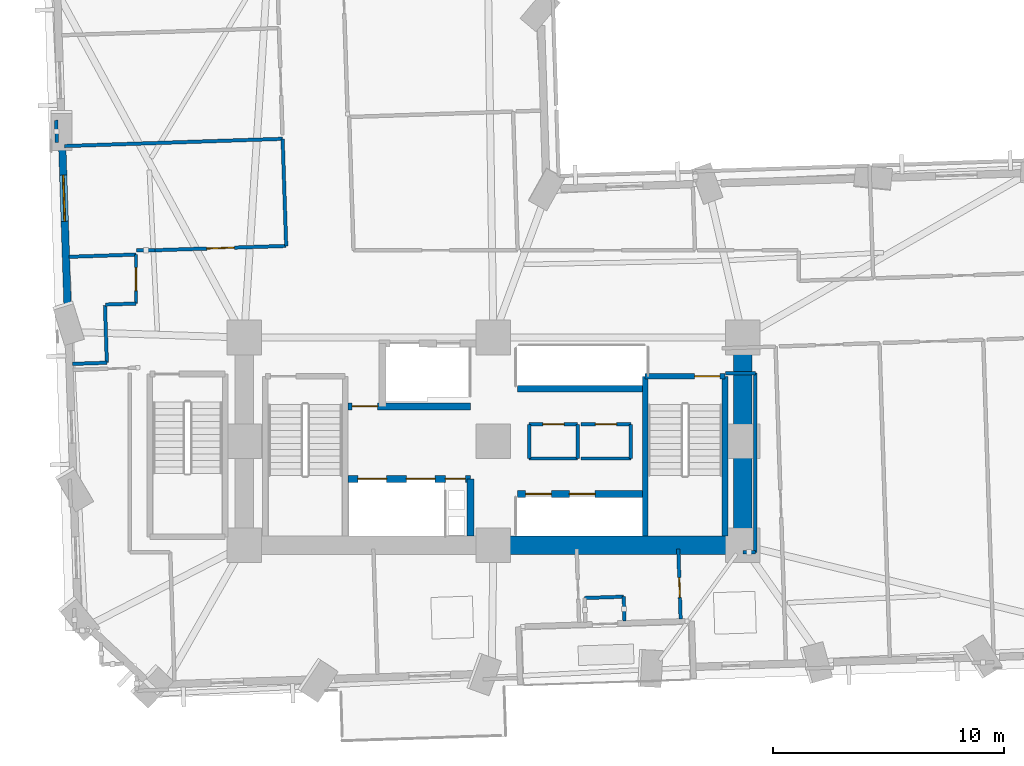
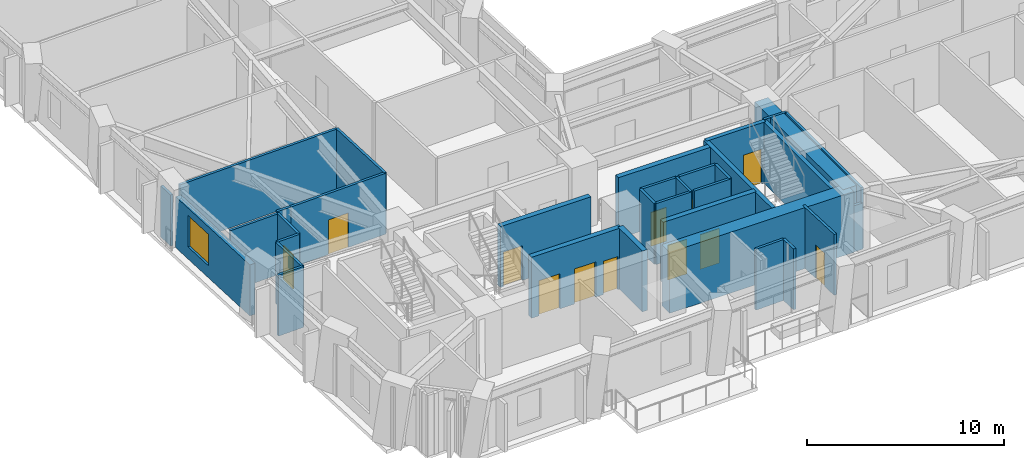
# One storey, part 6 of 14: 34 walls, 12 doors, 1 window, 13 openings.
"""IFC4 building model written with IfcOpenShell, lengths in metres."""

import ifcopenshell
import ifcopenshell.guid

model = None  # the IFC model being written
_history = None  # IfcOwnerHistory: only IFC2X3 demands one
_inside = {}  # id of a spatial element -> (the spatial element, [elements in it])
_under = {}  # id of a project, library or spatial element -> (it, [spatial elements below it])
_declared = {}  # id of a project -> (the project, [libraries it declares])
_typed = {}  # id of a type object -> (the type object, [elements of that type])
_made_of = {}  # id of a material, layer set ... -> (it, [elements and type objects made of it])


def new_model(schema):
    """Start an empty IFC model of exactly this schema.

    Asked for "IFC4X3", IfcOpenShell would pick the latest addendum, in which some entities
    have other attributes; the version numbers below select the first issue.
    IFC2X3 requires an IfcOwnerHistory on every rooted entity: one is made here for all.
    """
    global model, _history
    if schema == "IFC4X3":
        model = ifcopenshell.file(schema_version=(4, 3, 0, 0))
    else:
        model = ifcopenshell.file(schema=schema)
    _inside.clear()
    _under.clear()
    _declared.clear()
    _typed.clear()
    _made_of.clear()
    _history = None
    if model.schema == "IFC2X3":
        org = make("IfcOrganization", Name="unknown")
        user = make(
            "IfcPersonAndOrganization",
            ThePerson=make("IfcPerson", FamilyName="unknown"),
            TheOrganization=org,
        )
        app = make(
            "IfcApplication",
            ApplicationDeveloper=org,
            Version="unknown",
            ApplicationFullName="unknown",
            ApplicationIdentifier="unknown",
        )
        _history = make(
            "IfcOwnerHistory",
            OwningUser=user,
            OwningApplication=app,
            ChangeAction="ADDED",
            CreationDate=0,
        )
    return model


def make(cls, **values):
    """One entity of the class cls with the attributes given. An attribute that is None is left unset."""
    return model.create_entity(
        cls, **{name: value for name, value in values.items() if value is not None}
    )


def rooted(cls, **values):
    """An entity with a GlobalId (a new one), such as an element, a storey or a relation."""
    return make(cls, GlobalId=ifcopenshell.guid.new(), OwnerHistory=_history, **values)


def si_unit(unit_type, name, prefix=None):
    """IfcSIUnit, for example si_unit("LENGTHUNIT", "METRE", prefix="MILLI")."""
    return make("IfcSIUnit", UnitType=unit_type, Prefix=prefix, Name=name)


def assignment(units):
    """IfcUnitAssignment: the units of a project."""
    return None if units is None else make("IfcUnitAssignment", Units=units)


def point(xyz):
    """IfcCartesianPoint."""
    return None if xyz is None else make("IfcCartesianPoint", Coordinates=xyz)


def direction(xyz):
    """IfcDirection."""
    return None if xyz is None else make("IfcDirection", DirectionRatios=xyz)


def frame(location, z_axis=None, x_axis=None):
    """IfcAxis2Placement3D, a coordinate frame: its origin and axes. An axis left out is left unset."""
    return make(
        "IfcAxis2Placement3D",
        Location=point(location),
        Axis=direction(z_axis),
        RefDirection=direction(x_axis),
    )


def frame_2d(location, x_axis=None):
    """IfcAxis2Placement2D, a coordinate frame in the plane: its origin and x axis."""
    return make(
        "IfcAxis2Placement2D", Location=point(location), RefDirection=direction(x_axis)
    )


def origin():
    """The frame at (0, 0, 0) with its axes left unset."""
    return frame((0.0, 0.0, 0.0))


def place(relative_to, where):
    """IfcLocalPlacement: puts the frame where relative to a parent placement (None: the world)."""
    return make(
        "IfcLocalPlacement", PlacementRelTo=relative_to, RelativePlacement=where
    )


def context(
    kind, dimensions, precision=None, world=None, true_north=None, identifier=None
):
    """IfcGeometricRepresentationContext, for example the 3D "Model" context."""
    return make(
        "IfcGeometricRepresentationContext",
        ContextIdentifier=identifier,
        ContextType=kind,
        CoordinateSpaceDimension=dimensions,
        Precision=precision,
        WorldCoordinateSystem=world,
        TrueNorth=true_north,
    )


def subcontext(parent, identifier, kind, view, scale=None):
    """IfcGeometricRepresentationSubContext, for example "Body" below "Model"."""
    return make(
        "IfcGeometricRepresentationSubContext",
        ContextIdentifier=identifier,
        ContextType=kind,
        ParentContext=parent,
        TargetScale=scale,
        TargetView=view,
    )


def project(units=None, contexts=None):
    """IfcProject with its units and contexts."""
    return rooted(
        "IfcProject",
        Name="project",
        RepresentationContexts=contexts,
        UnitsInContext=assignment(units),
    )


def spatial(cls, under=None, at=None, **own):
    """A site, building, storey or space (cls), placed at a placement, below another one or the project."""
    s = rooted(cls, ObjectPlacement=at, **own)
    if under is not None:
        _under.setdefault(under.id(), (under, []))[1].append(s)
    return s


def profile(cls, at=None, kind="AREA", **sizes):
    """A parametric profile (cls). Its sizes go by their IFC names, for example OverallWidth=200.0."""
    return make(cls, ProfileType=kind, Position=at, **sizes)


def rectangle(**sizes):
    """IfcRectangleProfileDef."""
    return profile("IfcRectangleProfileDef", **sizes)


def extrude(swept, where, along, depth):
    """IfcExtrudedAreaSolid: the profile swept, set in the frame where, extruded along a direction by depth."""
    return make(
        "IfcExtrudedAreaSolid",
        SweptArea=swept,
        Position=where,
        ExtrudedDirection=direction(along),
        Depth=depth,
    )


def shape(context_of_items, identifier, shape_type, items):
    """IfcShapeRepresentation: the items that make up one representation, for example the "Body"."""
    return make(
        "IfcShapeRepresentation",
        ContextOfItems=context_of_items,
        RepresentationIdentifier=identifier,
        RepresentationType=shape_type,
        Items=items,
    )


def material(Name=None, Category=None):
    """IfcMaterial."""
    return make("IfcMaterial", Name=Name, Category=Category)


def layer(
    of_material, thickness, ventilated=None, Name=None, Category=None, Priority=None
):
    """IfcMaterialLayer: one layer of a wall or slab, of a material (None: an air gap)."""
    return make(
        "IfcMaterialLayer",
        Material=of_material,
        LayerThickness=thickness,
        IsVentilated=ventilated,
        Name=Name,
        Category=Category,
        Priority=Priority,
    )


def layer_set(layers, Name=None):
    """IfcMaterialLayerSet."""
    return make("IfcMaterialLayerSet", MaterialLayers=layers, LayerSetName=Name)


def made_of(thing, what):
    """Note that an element or type object is made of a material, layer set ...; save() writes the relation."""
    if what is not None:
        _made_of.setdefault(what.id(), (what, []))[1].append(thing)
    return thing


def type_object(cls, material=None, **own):
    """A type object (cls), such as IfcWallType, which elements share."""
    return made_of(rooted(cls, **own), material)


def element(
    cls,
    number,
    at=None,
    inside=None,
    cuts=None,
    type_object=None,
    material=None,
    context=None,
    identifier="Body",
    shape_type=None,
    held_by="IfcProductDefinitionShape",
    body=None,
    shapes=None,
    **own,
):
    """One element of the class cls, such as IfcWall. Its Tag is "e" and its number.

    at: its placement. inside: the storey or other place that contains it. cuts: it is an
    opening in that element (IfcRelVoidsElement). A single representation is given by context,
    identifier, shape_type and body (its items); several are given by shapes. held_by: the class
    of the entity that holds the representations. save() writes the other relations.
    """
    e = rooted(cls, Tag="e%d" % number, ObjectPlacement=at, **own)
    if body is not None:
        shapes = [shape(context, identifier, shape_type, body)]
    if shapes is not None:
        e.Representation = make(held_by, Representations=shapes)
    if inside is not None:
        _inside.setdefault(inside.id(), (inside, []))[1].append(e)
    if cuts is not None:
        rooted(
            "IfcRelVoidsElement", RelatingBuildingElement=cuts, RelatedOpeningElement=e
        )
    if type_object is not None:
        _typed.setdefault(type_object.id(), (type_object, []))[1].append(e)
    return made_of(e, material)


def fill(opening, filler):
    """IfcRelFillsElement: the door or window that sits in an opening."""
    return rooted(
        "IfcRelFillsElement",
        RelatingOpeningElement=opening,
        RelatedBuildingElement=filler,
    )


def aggregate(whole, parts):
    """IfcRelAggregates: a whole, such as a stair, and the parts it consists of."""
    return rooted("IfcRelAggregates", RelatingObject=whole, RelatedObjects=parts)


def save(model, path):
    """Write the relations noted so far, then the file.

    IfcRelAggregates (storeys below a building ...), IfcRelContainedInSpatialStructure (elements
    in a storey), IfcRelDefinesByType, IfcRelAssociatesMaterial and IfcRelDeclares: one each for
    every whole, place, type object, material and project.
    """
    for whole, parts in _under.values():
        aggregate(whole, parts)
    for where, things in _inside.values():
        rooted(
            "IfcRelContainedInSpatialStructure",
            RelatedElements=things,
            RelatingStructure=where,
        )
    for kind, things in _typed.values():
        rooted("IfcRelDefinesByType", RelatedObjects=things, RelatingType=kind)
    for what, things in _made_of.values():
        rooted("IfcRelAssociatesMaterial", RelatedObjects=things, RelatingMaterial=what)
    for by, libraries in _declared.values():
        rooted("IfcRelDeclares", RelatingContext=by, RelatedDefinitions=libraries)
    model.write(path)


model = new_model("IFC4")

# Units and contexts
model_context = context("Model", 3, precision=1e-05, world=origin(), true_north=direction((0.0, 1.0)))
body_context = subcontext(model_context, "Body", "Model", "MODEL_VIEW")
ifc_project = project(units=[si_unit("LENGTHUNIT", "METRE"), si_unit("AREAUNIT", "SQUARE_METRE"), si_unit("VOLUMEUNIT", "CUBIC_METRE"), si_unit("PLANEANGLEUNIT", "RADIAN"), si_unit("MASSUNIT", "GRAM", prefix="KILO")], contexts=[model_context])

# Site, building, storey
site_placement = place(None, origin())
site = spatial("IfcSite", under=ifc_project, at=site_placement, CompositionType="ELEMENT")
building_placement = place(site_placement, origin())
building = spatial("IfcBuilding", under=site, at=building_placement, Name="Gaonmaruhae Medical Tower", CompositionType="ELEMENT")
storey_placement = place(building_placement, frame((0.0, 0.0, 31.0)))
storey = spatial("IfcBuildingStorey", under=building, at=storey_placement, Name="L06", CompositionType="ELEMENT", Elevation=31.0)

# Walls
ifc_material_1 = material(Name="Concrete C60/75", Category="concrete")
ifc_layer_1 = layer(ifc_material_1, 0.800048828125)
ifc_layer_set_1 = layer_set([ifc_layer_1], Name="Concrete C60/75")
wall_type_1 = type_object("IfcWallType", Name="CW-800 Lower Core Shear Wall", PredefinedType="SHEAR", material=ifc_layer_set_1)
wall_1_placement = place(storey_placement, frame((24.800048828125, 7.800048828125, 0.0), z_axis=(0.0, 0.0, 1.0), x_axis=(1.0, 0.0, 0.0)))
element("IfcWall", 1, at=wall_1_placement, inside=storey, type_object=wall_type_1, Name="L06 Core Shear Wall CSW-S2", PredefinedType="SHEAR", context=body_context, shape_type="SweptSolid", body=[
    extrude(rectangle(XDim=10.800048828125, YDim=0.800048828125, at=frame_2d((5.39990234375, 0.0))), origin(), (0.0, 0.0, 1.0), 3.780029296875),
])
wall_2_placement = place(storey_placement, frame((35.60009765625, 7.800048828125, 0.0), z_axis=(0.0, 0.0, 1.0), x_axis=(0.0, 1.0, 0.0)))
element("IfcWall", 2, at=wall_2_placement, inside=storey, type_object=wall_type_1, Name="L06 Core Shear Wall CSW-E1", PredefinedType="SHEAR", context=body_context, shape_type="SweptSolid", body=[
    extrude(rectangle(XDim=9.0, YDim=0.800048828125, at=frame_2d((4.5, 0.0))), origin(), (0.0, 0.0, 1.0), 3.780029296875),
])

# Wall, opening, window
ifc_material_2 = material(Name="Precast concrete C45/55", Category="concrete")
ifc_layer_2 = layer(ifc_material_2, 0.320068359375)
ifc_layer_set_2 = layer_set([ifc_layer_2], Name="Precast concrete C45/55")
wall_type_2 = type_object("IfcWallType", Name="EW-320 Lower Precast Masonry-Frame Facade Wall", PredefinedType="SOLIDWALL", material=ifc_layer_set_2)
wall_3_placement = place(storey_placement, frame((6.36474609375, 17.87158203125, 0.0), z_axis=(0.0, 0.0, 1.0), x_axis=(-0.033150797565, 0.999450361259, 0.0)))
wall_3 = element("IfcWall", 3, at=wall_3_placement, inside=storey, type_object=wall_type_2, Name="L06 Precast Masonry-Frame Wall W04-W05", PredefinedType="SOLIDWALL", context=body_context, shape_type="SweptSolid", body=[
    extrude(rectangle(XDim=7.13623046875, YDim=0.320068359375, at=frame_2d((3.568115234375, 0.0))), origin(), (0.0, 0.0, 1.0), 3.1650390625),
])
opening_1_placement = place(wall_3_placement, frame((3.964111328125, 0.0, 0.75)))
opening_1 = element("IfcOpeningElement", 4, at=opening_1_placement, cuts=wall_3, Name="Opening WN-02", PredefinedType="OPENING", context=body_context, shape_type="SweptSolid", body=[
    extrude(rectangle(XDim=2.0, YDim=1.949951171875, at=frame_2d((1.0, 0.97509765625))), frame((0.0, 0.169921875, 0.0), z_axis=(0.0, -1.0, 0.0), x_axis=(1.0, 0.0, 0.0)), (0.0, 0.0, 1.0), 0.340087890625),
])
ifc_material_3 = material(Name="Anodised aluminium and Low-E double glazing", Category="aluminium")
window_type = type_object("IfcWindowType", Name="WN-02 Double-Bed Ward Punched Window 2000x1950", PartitioningType="SINGLE_PANEL", PredefinedType="WINDOW", material=ifc_material_3)
window_placement = place(opening_1_placement, origin())
window = element("IfcWindow", 5, at=window_placement, inside=storey, type_object=window_type, Name="L06 Modular Facade Window W04", OverallHeight=1.949951171875, OverallWidth=2.0, PartitioningType="SINGLE_PANEL", PredefinedType="WINDOW", context=body_context, shape_type="SweptSolid", body=[
    extrude(rectangle(XDim=2.0, YDim=1.949951171875, at=frame_2d((1.0, 0.97509765625))), frame((0.0, 0.030029296875, 0.0), z_axis=(0.0, -1.0, 0.0), x_axis=(1.0, 0.0, 0.0)), (0.0, 0.0, 1.0), 0.06005859375),
])
fill(opening_1, window)

# Wall
ifc_material_4 = material(Name="Gypsum board partition", Category="gypsum")
ifc_layer_3 = layer(ifc_material_4, 0.14990234375)
ifc_layer_set_3 = layer_set([ifc_layer_3], Name="Gypsum board partition")
wall_type_3 = type_object("IfcWallType", Name="PW-150 Rated Clinical Corridor Partition", PredefinedType="PARTITIONING", material=ifc_layer_set_3)
wall_4_placement = place(storey_placement, frame((26.35009765625, 11.56005859375, 0.0), z_axis=(0.0, 0.0, 1.0), x_axis=(0.0, 1.0, 0.0)))
element("IfcWall", 6, at=wall_4_placement, inside=storey, type_object=wall_type_3, Name="L06 Interior Partition L06-CS1-1", PredefinedType="PARTITIONING", context=body_context, shape_type="SweptSolid", body=[
    extrude(rectangle(XDim=1.47998046875, YDim=0.14990234375, at=frame_2d((0.739990234375, 0.0))), origin(), (0.0, 0.0, 1.0), 3.780029296875),
])

# Wall, opening, door
wall_5_placement = place(storey_placement, frame((26.35009765625, 13.0400390625, 0.0), z_axis=(0.0, 0.0, 1.0), x_axis=(1.0, 0.0, 0.0)))
wall_5 = element("IfcWall", 7, at=wall_5_placement, inside=storey, type_object=wall_type_3, Name="L06 Interior Partition L06-CS1-2", PredefinedType="PARTITIONING", context=body_context, shape_type="SweptSolid", body=[
    extrude(rectangle(XDim=2.099853515625, YDim=0.14990234375, at=frame_2d((1.0498046875, 0.0))), origin(), (0.0, 0.0, 1.0), 3.780029296875),
])
opening_2_placement = place(wall_5_placement, frame((0.590087890625, 0.0, 0.0)))
opening_2 = element("IfcOpeningElement", 8, at=opening_2_placement, cuts=wall_5, Name="Opening UD-01", PredefinedType="OPENING", context=body_context, shape_type="SweptSolid", body=[
    extrude(rectangle(XDim=0.919921875, YDim=2.10009765625, at=frame_2d((0.4599609375, 1.050048828125))), frame((0.0, 0.0849609375, 0.0), z_axis=(0.0, -1.0, 0.0), x_axis=(1.0, 0.0, 0.0)), (0.0, 0.0, 1.0), 0.169921875),
])
ifc_material_5 = material(Name="Powder-coated steel utility door", Category="steel")
door_type_1 = type_object("IfcDoorType", Name="UD-01 Toilet, Utility & Housekeeping Door 920x2100", OperationType="NOTDEFINED", PredefinedType="DOOR", material=ifc_material_5)
door_1_placement = place(opening_2_placement, origin())
door_1 = element("IfcDoor", 9, at=door_1_placement, inside=storey, type_object=door_type_1, Name="L06 Accessible Staff Toilet Door", OperationType="SINGLE_SWING_RIGHT", OverallHeight=2.10009765625, OverallWidth=0.919921875, PredefinedType="DOOR", context=body_context, shape_type="SweptSolid", body=[
    extrude(rectangle(XDim=0.919921875, YDim=2.10009765625, at=frame_2d((0.4599609375, 1.050048828125))), frame((0.0, 0.02490234375, 0.0), z_axis=(0.0, -1.0, 0.0), x_axis=(1.0, 0.0, 0.0)), (0.0, 0.0, 1.0), 0.050048828125),
])
fill(opening_2, door_1)

# Walls
wall_6_placement = place(storey_placement, frame((28.449951171875, 13.0400390625, 0.0), z_axis=(0.0, 0.0, 1.0), x_axis=(0.0, -1.0, 0.0)))
element("IfcWall", 10, at=wall_6_placement, inside=storey, type_object=wall_type_3, Name="L06 Interior Partition L06-CS1-3", PredefinedType="PARTITIONING", context=body_context, shape_type="SweptSolid", body=[
    extrude(rectangle(XDim=1.47998046875, YDim=0.14990234375, at=frame_2d((0.739990234375, 0.0))), origin(), (0.0, 0.0, 1.0), 3.780029296875),
])
wall_7_placement = place(storey_placement, frame((28.449951171875, 11.56005859375, 0.0), z_axis=(0.0, 0.0, 1.0), x_axis=(-1.0, 0.0, 0.0)))
element("IfcWall", 11, at=wall_7_placement, inside=storey, type_object=wall_type_3, Name="L06 Interior Partition L06-CS1-4", PredefinedType="PARTITIONING", context=body_context, shape_type="SweptSolid", body=[
    extrude(rectangle(XDim=2.099853515625, YDim=0.14990234375, at=frame_2d((1.0498046875, 0.0))), origin(), (0.0, 0.0, 1.0), 3.780029296875),
])

# Wall, opening, door
wall_8_placement = place(storey_placement, frame((28.60009765625, 13.0400390625, 0.0), z_axis=(0.0, 0.0, 1.0), x_axis=(1.0, 0.0, 0.0)))
wall_8 = element("IfcWall", 12, at=wall_8_placement, inside=storey, type_object=wall_type_3, Name="L06 Interior Partition L06-CS2-5", PredefinedType="PARTITIONING", context=body_context, shape_type="SweptSolid", body=[
    extrude(rectangle(XDim=2.14990234375, YDim=0.14990234375, at=frame_2d((1.074951171875, 0.0))), origin(), (0.0, 0.0, 1.0), 3.780029296875),
])
opening_3_placement = place(wall_8_placement, frame((0.614990234375, 0.0, 0.0)))
opening_3 = element("IfcOpeningElement", 13, at=opening_3_placement, cuts=wall_8, Name="Opening UD-01", PredefinedType="OPENING", context=body_context, shape_type="SweptSolid", body=[
    extrude(rectangle(XDim=0.919921875, YDim=2.10009765625, at=frame_2d((0.4599609375, 1.050048828125))), frame((0.0, 0.0849609375, 0.0), z_axis=(0.0, -1.0, 0.0), x_axis=(1.0, 0.0, 0.0)), (0.0, 0.0, 1.0), 0.169921875),
])
door_2_placement = place(opening_3_placement, origin())
door_2 = element("IfcDoor", 14, at=door_2_placement, inside=storey, type_object=door_type_1, Name="L06 Biomedical Telemetry Closet Door", OperationType="SINGLE_SWING_LEFT", OverallHeight=2.10009765625, OverallWidth=0.919921875, PredefinedType="DOOR", context=body_context, shape_type="SweptSolid", body=[
    extrude(rectangle(XDim=0.919921875, YDim=2.10009765625, at=frame_2d((0.4599609375, 1.050048828125))), frame((0.0, 0.02490234375, 0.0), z_axis=(0.0, -1.0, 0.0), x_axis=(1.0, 0.0, 0.0)), (0.0, 0.0, 1.0), 0.050048828125),
])
fill(opening_3, door_2)

# Walls
wall_9_placement = place(storey_placement, frame((30.75, 13.0400390625, 0.0), z_axis=(0.0, 0.0, 1.0), x_axis=(0.0, -1.0, 0.0)))
element("IfcWall", 15, at=wall_9_placement, inside=storey, type_object=wall_type_3, Name="L06 Interior Partition L06-CS2-6", PredefinedType="PARTITIONING", context=body_context, shape_type="SweptSolid", body=[
    extrude(rectangle(XDim=1.47998046875, YDim=0.14990234375, at=frame_2d((0.739990234375, 0.0))), origin(), (0.0, 0.0, 1.0), 3.780029296875),
])
wall_10_placement = place(storey_placement, frame((30.75, 11.56005859375, 0.0), z_axis=(0.0, 0.0, 1.0), x_axis=(-1.0, 0.0, 0.0)))
element("IfcWall", 16, at=wall_10_placement, inside=storey, type_object=wall_type_3, Name="L06 Interior Partition L06-CS2-7", PredefinedType="PARTITIONING", context=body_context, shape_type="SweptSolid", body=[
    extrude(rectangle(XDim=2.14990234375, YDim=0.14990234375, at=frame_2d((1.074951171875, 0.0))), origin(), (0.0, 0.0, 1.0), 3.780029296875),
])

# Wall, opening, door
wall_11_placement = place(storey_placement, frame((32.80810546875, 7.639892578125, 0.0), z_axis=(0.0, 0.0, 1.0), x_axis=(0.033162435907, -0.999449975159, 0.0)))
wall_11 = element("IfcWall", 17, at=wall_11_placement, inside=storey, type_object=wall_type_3, Name="L06 Interior Partition L06-SUP06-25", PredefinedType="PARTITIONING", context=body_context, shape_type="SweptSolid", body=[
    extrude(rectangle(XDim=3.04052734375, YDim=0.14990234375, at=frame_2d((1.520263671875, 0.0))), origin(), (0.0, 0.0, 1.0), 3.780029296875),
])
opening_4_placement = place(wall_11_placement, frame((1.240478515625, 0.0, 0.0)))
opening_4 = element("IfcOpeningElement", 18, at=opening_4_placement, cuts=wall_11, Name="Opening AD-01", PredefinedType="OPENING", context=body_context, shape_type="SweptSolid", body=[
    extrude(rectangle(XDim=0.860107421875, YDim=2.06005859375, at=frame_2d((0.43017578125, 1.030029296875))), frame((0.0, 0.0849609375, 0.0), z_axis=(0.0, -1.0, 0.0), x_axis=(1.0, 0.0, 0.0)), (0.0, 0.0, 1.0), 0.169921875),
])
ifc_material_6 = material(Name="Powder-coated steel access door", Category="steel")
door_type_2 = type_object("IfcDoorType", Name="AD-01 Riser & Closet Access Fire Door 860x2060", OperationType="NOTDEFINED", PredefinedType="DOOR", material=ifc_material_6)
door_3_placement = place(opening_4_placement, origin())
door_3 = element("IfcDoor", 19, at=door_3_placement, inside=storey, type_object=door_type_2, Name="L06 Clinical Biomedical Charting Office Sliding Door", OperationType="SLIDING_TO_LEFT", OverallHeight=2.06005859375, OverallWidth=0.860107421875, PredefinedType="DOOR", context=body_context, shape_type="SweptSolid", body=[
    extrude(rectangle(XDim=0.860107421875, YDim=2.06005859375, at=frame_2d((0.43017578125, 1.030029296875))), frame((0.0, 0.02490234375, 0.0), z_axis=(0.0, -1.0, 0.0), x_axis=(1.0, 0.0, 0.0)), (0.0, 0.0, 1.0), 0.050048828125),
])
fill(opening_4, door_3)

# Walls
wall_12_placement = place(storey_placement, frame((30.47802734375, 4.52001953125, 0.0), z_axis=(0.0, 0.0, 1.0), x_axis=(-0.032151848276, 0.999482995679, 0.0)))
element("IfcWall", 20, at=wall_12_placement, inside=storey, type_object=wall_type_3, Name="L06 Interior Partition L06-SUP06-26", PredefinedType="PARTITIONING", context=body_context, shape_type="SweptSolid", body=[
    extrude(rectangle(XDim=1.055419921875, YDim=0.14990234375, at=frame_2d((0.52783203125, 0.0))), origin(), (0.0, 0.0, 1.0), 3.780029296875),
])
wall_13_placement = place(storey_placement, frame((30.444091796875, 5.574951171875, 0.0), z_axis=(0.0, 0.0, 1.0), x_axis=(-0.999439954622, -0.033463070761, 0.0)))
element("IfcWall", 21, at=wall_13_placement, inside=storey, type_object=wall_type_3, Name="L06 Interior Partition L06-SUP06-27", PredefinedType="PARTITIONING", context=body_context, shape_type="SweptSolid", body=[
    extrude(rectangle(XDim=1.699951171875, YDim=0.14990234375, at=frame_2d((0.85009765625, 0.0))), origin(), (0.0, 0.0, 1.0), 3.780029296875),
])
wall_14_placement = place(storey_placement, frame((35.60009765625, 7.5, 0.0), z_axis=(0.0, 0.0, 1.0), x_axis=(1.0, 0.0, 0.0)))
element("IfcWall", 22, at=wall_14_placement, inside=storey, type_object=wall_type_3, Name="L06 Interior Partition L06-TRM07-29", PredefinedType="PARTITIONING", context=body_context, shape_type="SweptSolid", body=[
    extrude(rectangle(XDim=0.5498046875, YDim=0.14990234375, at=frame_2d((0.27490234375, 0.0))), origin(), (0.0, 0.0, 1.0), 2.864990234375),
])
wall_15_placement = place(storey_placement, frame((36.14990234375, 7.5, 0.0), z_axis=(0.0, 0.0, 1.0), x_axis=(0.0, 1.0, 0.0)))
element("IfcWall", 23, at=wall_15_placement, inside=storey, type_object=wall_type_3, Name="L06 Interior Partition L06-TRM07-30", PredefinedType="PARTITIONING", context=body_context, shape_type="SweptSolid", body=[
    extrude(rectangle(XDim=7.760009765625, YDim=0.14990234375, at=frame_2d((3.8798828125, 0.0))), origin(), (0.0, 0.0, 1.0), 3.780029296875),
])
wall_16_placement = place(storey_placement, frame((36.14990234375, 15.260009765625, 0.0), z_axis=(0.0, 0.0, 1.0), x_axis=(-1.0, 0.0, 0.0)))
element("IfcWall", 24, at=wall_16_placement, inside=storey, type_object=wall_type_3, Name="L06 Interior Partition L06-TRM07-31", PredefinedType="PARTITIONING", context=body_context, shape_type="SweptSolid", body=[
    extrude(rectangle(XDim=1.2998046875, YDim=0.14990234375, at=frame_2d((0.64990234375, 0.0))), origin(), (0.0, 0.0, 1.0), 3.780029296875),
])
wall_17_placement = place(storey_placement, frame((7.97509765625, 18.197021484375, 0.0), z_axis=(0.0, 0.0, 1.0), x_axis=(0.032841519525, -0.999460571806, 0.0)))
element("IfcWall", 25, at=wall_17_placement, inside=storey, type_object=wall_type_3, Name="L06 Interior Partition L06-WOF13-49", PredefinedType="PARTITIONING", context=body_context, shape_type="SweptSolid", body=[
    extrude(rectangle(XDim=2.490478515625, YDim=0.14990234375, at=frame_2d((1.2451171875, 0.0))), origin(), (0.0, 0.0, 1.0), 3.780029296875),
])
wall_18_placement = place(storey_placement, frame((8.056884765625, 15.7080078125, 0.0), z_axis=(0.0, 0.0, 1.0), x_axis=(-0.999453632714, -0.03305202043, 0.0)))
element("IfcWall", 26, at=wall_18_placement, inside=storey, type_object=wall_type_3, Name="L06 Interior Partition L06-WOF13-50", PredefinedType="PARTITIONING", context=body_context, shape_type="SweptSolid", body=[
    extrude(rectangle(XDim=1.484619140625, YDim=0.14990234375, at=frame_2d((0.7421875, 0.0))), origin(), (0.0, 0.0, 1.0), 3.780029296875),
])
wall_19_placement = place(storey_placement, frame((6.4189453125, 20.2958984375, 0.0), z_axis=(0.0, 0.0, 1.0), x_axis=(0.999439573388, 0.033474455121, 0.0)))
element("IfcWall", 27, at=wall_19_placement, inside=storey, type_object=wall_type_3, Name="L06 Interior Partition L06-WOF13-51", PredefinedType="PARTITIONING", context=body_context, shape_type="SweptSolid", body=[
    extrude(rectangle(XDim=2.90283203125, YDim=0.14990234375, at=frame_2d((1.451416015625, 0.0))), origin(), (0.0, 0.0, 1.0), 3.780029296875),
])

# Wall, opening, door
wall_20_placement = place(storey_placement, frame((9.320068359375, 20.39306640625, 0.0), z_axis=(0.0, 0.0, 1.0), x_axis=(0.0, -1.0, 0.0)))
wall_20 = element("IfcWall", 28, at=wall_20_placement, inside=storey, type_object=wall_type_3, Name="L06 Interior Partition L06-WOF13-52", PredefinedType="PARTITIONING", context=body_context, shape_type="SweptSolid", body=[
    extrude(rectangle(XDim=2.1220703125, YDim=0.14990234375, at=frame_2d((1.06103515625, 0.0))), origin(), (0.0, 0.0, 1.0), 3.780029296875),
])
opening_5_placement = place(wall_20_placement, frame((0.56103515625, 0.0, 0.0)))
opening_5 = element("IfcOpeningElement", 29, at=opening_5_placement, cuts=wall_20, Name="Opening CD-01", PredefinedType="OPENING", context=body_context, shape_type="SweptSolid", body=[
    extrude(rectangle(XDim=1.0, YDim=2.1201171875, at=frame_2d((0.5, 1.06005859375))), frame((0.0, 0.0849609375, 0.0), z_axis=(0.0, -1.0, 0.0), x_axis=(1.0, 0.0, 0.0)), (0.0, 0.0, 1.0), 0.169921875),
])
ifc_material_7 = material(Name="Antimicrobial laminate timber fire door", Category="wood")
door_type_3 = type_object("IfcDoorType", Name="CD-01 Consultation & Physician Office Door 1000x2120", OperationType="NOTDEFINED", PredefinedType="DOOR", material=ifc_material_7)
door_4_placement = place(opening_5_placement, origin())
door_4 = element("IfcDoor", 30, at=door_4_placement, inside=storey, type_object=door_type_3, Name="L06 Ward Physician Reporting Office Door", OperationType="SINGLE_SWING_LEFT", OverallHeight=2.1201171875, OverallWidth=1.0, PredefinedType="DOOR", context=body_context, shape_type="SweptSolid", body=[
    extrude(rectangle(XDim=1.0, YDim=2.1201171875, at=frame_2d((0.5, 1.06005859375))), frame((0.0, 0.02490234375, 0.0), z_axis=(0.0, -1.0, 0.0), x_axis=(1.0, 0.0, 0.0)), (0.0, 0.0, 1.0), 0.050048828125),
])
fill(opening_5, door_4)

# Walls
wall_21_placement = place(storey_placement, frame((9.320068359375, 18.27099609375, 0.0), z_axis=(0.0, 0.0, 1.0), x_axis=(-0.999445522723, -0.033296352784, 0.0)))
element("IfcWall", 31, at=wall_21_placement, inside=storey, type_object=wall_type_3, Name="L06 Interior Partition L06-WOF13-53", PredefinedType="PARTITIONING", context=body_context, shape_type="SweptSolid", body=[
    extrude(rectangle(XDim=1.31982421875, YDim=0.14990234375, at=frame_2d((0.659912109375, 0.0))), origin(), (0.0, 0.0, 1.0), 3.780029296875),
])
wall_22_placement = place(storey_placement, frame((6.22900390625, 25.093017578125, 0.0), z_axis=(0.0, 0.0, 1.0), x_axis=(0.999450914597, 0.033134111004, 0.0)))
element("IfcWall", 32, at=wall_22_placement, inside=storey, type_object=wall_type_3, Name="L06 Interior Partition L06-WOF14-54", PredefinedType="PARTITIONING", context=body_context, shape_type="SweptSolid", body=[
    extrude(rectangle(XDim=9.446044921875, YDim=0.14990234375, at=frame_2d((4.72314453125, 0.0))), origin(), (0.0, 0.0, 1.0), 3.780029296875),
])
wall_23_placement = place(storey_placement, frame((15.669921875, 25.406005859375, 0.0), z_axis=(0.0, 0.0, 1.0), x_axis=(0.033197462788, -0.999448812328, 0.0)))
element("IfcWall", 33, at=wall_23_placement, inside=storey, type_object=wall_type_3, Name="L06 Interior Partition L06-WOF14-55", PredefinedType="PARTITIONING", context=body_context, shape_type="SweptSolid", body=[
    extrude(rectangle(XDim=4.640380859375, YDim=0.14990234375, at=frame_2d((2.3203125, 0.0))), origin(), (0.0, 0.0, 1.0), 3.780029296875),
])

# Wall, opening, door
wall_24_placement = place(storey_placement, frame((15.823974609375, 20.76806640625, 0.0), z_axis=(0.0, 0.0, 1.0), x_axis=(-0.999452746279, -0.033078814298, 0.0)))
wall_24 = element("IfcWall", 34, at=wall_24_placement, inside=storey, type_object=wall_type_3, Name="L06 Interior Partition L06-WOF14-56", PredefinedType="PARTITIONING", context=body_context, shape_type="SweptSolid", body=[
    extrude(rectangle(XDim=5.68310546875, YDim=0.14990234375, at=frame_2d((2.841552734375, 0.0))), origin(), (0.0, 0.0, 1.0), 3.780029296875),
])
opening_6_placement = place(wall_24_placement, frame((2.24169921875, 0.0, 0.0)))
opening_6 = element("IfcOpeningElement", 35, at=opening_6_placement, cuts=wall_24, Name="Opening CD-02", PredefinedType="OPENING", context=body_context, shape_type="SweptSolid", body=[
    extrude(rectangle(XDim=1.199951171875, YDim=2.14990234375, at=frame_2d((0.60009765625, 1.074951171875))), frame((0.0, 0.0849609375, 0.0), z_axis=(0.0, -1.0, 0.0), x_axis=(1.0, 0.0, 0.0)), (0.0, 0.0, 1.0), 0.169921875),
])
door_type_4 = type_object("IfcDoorType", Name="CD-02 Clinical Treatment & Procedure Door 1200x2150", OperationType="NOTDEFINED", PredefinedType="DOOR", material=ifc_material_7)
door_5_placement = place(opening_6_placement, origin())
door_5 = element("IfcDoor", 36, at=door_5_placement, inside=storey, type_object=door_type_4, Name="L06 Ward Physician Reporting Office Door", OperationType="SINGLE_SWING_RIGHT", OverallHeight=2.14990234375, OverallWidth=1.199951171875, PredefinedType="DOOR", context=body_context, shape_type="SweptSolid", body=[
    extrude(rectangle(XDim=1.199951171875, YDim=2.14990234375, at=frame_2d((0.60009765625, 1.074951171875))), frame((0.0, 0.02490234375, 0.0), z_axis=(0.0, -1.0, 0.0), x_axis=(1.0, 0.0, 0.0)), (0.0, 0.0, 1.0), 0.050048828125),
])
fill(opening_6, door_5)

# Walls
wall_25_placement = place(storey_placement, frame((10.14404296875, 20.580078125, 0.0), z_axis=(0.0, 0.0, 1.0), x_axis=(-1.0, 0.0, 0.0)))
element("IfcWall", 37, at=wall_25_placement, inside=storey, type_object=wall_type_3, Name="L06 Interior Partition L06-WOF14-57", PredefinedType="PARTITIONING", context=body_context, shape_type="SweptSolid", body=[
    extrude(rectangle(XDim=0.797119140625, YDim=0.14990234375, at=frame_2d((0.3984375, 0.0))), origin(), (0.0, 0.0, 1.0), 3.780029296875),
])
wall_26_placement = place(storey_placement, frame((5.889892578125, 25.241943359375, 0.0), z_axis=(0.0, 0.0, 1.0), x_axis=(-0.032987831618, 0.99945575338, 0.0)))
element("IfcWall", 38, at=wall_26_placement, inside=storey, type_object=wall_type_3, Name="L06 Interior Partition L06-WOF15-60", PredefinedType="PARTITIONING", context=body_context, shape_type="SweptSolid", body=[
    extrude(rectangle(XDim=0.969482421875, YDim=0.14990234375, at=frame_2d((0.48486328125, 0.0))), origin(), (0.0, 0.0, 1.0), 3.1650390625),
])

# Wall, opening, door
ifc_material_8 = material(Name="Concrete C50/60", Category="concrete")
ifc_layer_4 = layer(ifc_material_8, 0.239990234375)
ifc_layer_set_4 = layer_set([ifc_layer_4], Name="Concrete C50/60")
wall_type_4 = type_object("IfcWallType", Name="SW-240 Dogleg Stair Tight Shaft Wall", PredefinedType="SOLIDWALL", material=ifc_layer_set_4)
wall_27_placement = place(storey_placement, frame((31.3701171875, 15.1201171875, 0.0), z_axis=(0.0, 0.0, 1.0), x_axis=(1.0, 0.0, 0.0)))
wall_27 = element("IfcWall", 39, at=wall_27_placement, inside=storey, type_object=wall_type_4, Name="L06 ST-02 Stair Shaft Wall SHW-ST-02-N", PredefinedType="SOLIDWALL", context=body_context, shape_type="SweptSolid", body=[
    extrude(rectangle(XDim=3.4599609375, YDim=0.239990234375, at=frame_2d((1.72998046875, 0.0))), origin(), (0.0, 0.0, 1.0), 3.780029296875),
])
opening_7_placement = place(wall_27_placement, frame((2.139892578125, 0.0, 0.0)))
opening_7 = element("IfcOpeningElement", 40, at=opening_7_placement, cuts=wall_27, Name="Opening FD-01", PredefinedType="OPENING", context=body_context, shape_type="SweptSolid", body=[
    extrude(rectangle(XDim=1.10009765625, YDim=2.14990234375, at=frame_2d((0.550048828125, 1.074951171875))), frame((0.0, 0.1298828125, 0.0), z_axis=(0.0, -1.0, 0.0), x_axis=(1.0, 0.0, 0.0)), (0.0, 0.0, 1.0), 0.260009765625),
])
ifc_material_9 = material(Name="Powder-coated steel fire door", Category="steel")
door_type_5 = type_object("IfcDoorType", Name="FD-01 Escape Stair Protected Fire Door 1100x2150", OperationType="NOTDEFINED", PredefinedType="DOOR", material=ifc_material_9)
door_6_placement = place(opening_7_placement, origin())
door_6 = element("IfcDoor", 41, at=door_6_placement, inside=storey, type_object=door_type_5, Name="L06 ST-02 Protected Escape Stair Door", OperationType="SINGLE_SWING_RIGHT", OverallHeight=2.14990234375, OverallWidth=1.10009765625, PredefinedType="DOOR", context=body_context, shape_type="SweptSolid", body=[
    extrude(rectangle(XDim=1.10009765625, YDim=2.14990234375, at=frame_2d((0.550048828125, 1.074951171875))), frame((0.0, 0.02490234375, 0.0), z_axis=(0.0, -1.0, 0.0), x_axis=(1.0, 0.0, 0.0)), (0.0, 0.0, 1.0), 0.050048828125),
])
fill(opening_7, door_6)

# Walls
for number, where, z_axis, x_axis, name in (
    (42, (34.830078125, 15.1201171875, 0.0), (0.0, 0.0, 1.0), (0.0, -1.0, 0.0), "L06 ST-02 Stair Shaft Wall SHW-ST-02-E"),
    (43, (31.3701171875, 8.199951171875, 0.0), (0.0, 0.0, 1.0), (0.0, 1.0, 0.0), "L06 ST-02 Stair Shaft Wall SHW-ST-02-W"),
):
    element("IfcWall", number, at=place(storey_placement, frame(where, z_axis=z_axis, x_axis=x_axis)), inside=storey, type_object=wall_type_4, Name=name, PredefinedType="SOLIDWALL", context=body_context, shape_type="SweptSolid", body=[
        extrude(rectangle(XDim=6.920166015625, YDim=0.239990234375, at=frame_2d((3.4599609375, 0.0))), origin(), (0.0, 0.0, 1.0), 3.780029296875),
    ])

# Wall, openings, doors
ifc_layer_5 = layer(ifc_material_8, 0.300048828125)
ifc_layer_set_5 = layer_set([ifc_layer_5], Name="Concrete C50/60")
wall_type_5 = type_object("IfcWallType", Name="SW-300 Stair & Lift Hoistway Shaft Wall", PredefinedType="SOLIDWALL", material=ifc_layer_set_5)
wall_28_placement = place(storey_placement, frame((18.5, 10.679931640625, 0.0), z_axis=(0.0, 0.0, 1.0), x_axis=(1.0, 0.0, 0.0)))
wall_28 = element("IfcWall", 44, at=wall_28_placement, inside=storey, type_object=wall_type_5, Name="L06 Shaft Enclosure Wall SHW-FFN", PredefinedType="SOLIDWALL", context=body_context, shape_type="SweptSolid", body=[
    extrude(rectangle(XDim=5.300048828125, YDim=0.300048828125, at=frame_2d((2.64990234375, 0.0))), origin(), (0.0, 0.0, 1.0), 3.780029296875),
])
opening_8_placement = place(wall_28_placement, frame((4.219970703125, 0.0, 0.0)))
opening_8 = element("IfcOpeningElement", 45, at=opening_8_placement, cuts=wall_28, Name="Opening AD-01", PredefinedType="OPENING", context=body_context, shape_type="SweptSolid", body=[
    extrude(rectangle(XDim=0.860107421875, YDim=2.06005859375, at=frame_2d((0.43017578125, 1.030029296875))), frame((0.0, 0.16015625, 0.0), z_axis=(0.0, -1.0, 0.0), x_axis=(1.0, 0.0, 0.0)), (0.0, 0.0, 1.0), 0.320068359375),
])
opening_9_placement = place(wall_28_placement, frame((0.425048828125, 0.0, 0.0)))
opening_9 = element("IfcOpeningElement", 46, at=opening_9_placement, cuts=wall_28, Name="Opening LD-F1", PredefinedType="OPENING", context=body_context, shape_type="SweptSolid", body=[
    extrude(rectangle(XDim=1.25, YDim=2.179931640625, at=frame_2d((0.625, 1.08984375))), frame((0.0, 0.16015625, 0.0), z_axis=(0.0, -1.0, 0.0), x_axis=(1.0, 0.0, 0.0)), (0.0, 0.0, 1.0), 0.320068359375),
])
opening_10_placement = place(wall_28_placement, frame((2.52490234375, 0.0, 0.0)))
opening_10 = element("IfcOpeningElement", 47, at=opening_10_placement, cuts=wall_28, Name="Opening LD-F1", PredefinedType="OPENING", context=body_context, shape_type="SweptSolid", body=[
    extrude(rectangle(XDim=1.25, YDim=2.179931640625, at=frame_2d((0.625, 1.08984375))), frame((0.0, 0.16015625, 0.0), z_axis=(0.0, -1.0, 0.0), x_axis=(1.0, 0.0, 0.0)), (0.0, 0.0, 1.0), 0.320068359375),
])
door_7_placement = place(opening_8_placement, origin())
door_7 = element("IfcDoor", 48, at=door_7_placement, inside=storey, type_object=door_type_2, Name="L06 Medical Gas and MEP Riser Access Door", OperationType="SINGLE_SWING_RIGHT", OverallHeight=2.06005859375, OverallWidth=0.860107421875, PredefinedType="DOOR", context=body_context, shape_type="SweptSolid", body=[
    extrude(rectangle(XDim=0.860107421875, YDim=2.06005859375, at=frame_2d((0.43017578125, 1.030029296875))), frame((0.0, 0.02490234375, 0.0), z_axis=(0.0, -1.0, 0.0), x_axis=(1.0, 0.0, 0.0)), (0.0, 0.0, 1.0), 0.050048828125),
])
fill(opening_8, door_7)
ifc_material_10 = material(Name="Brushed stainless steel 316L landing door", Category="steel")
door_type_6 = type_object("IfcDoorType", Name="LD-F1 Firefighting & Bed Lift Sliding Landing Door 1250x2180", OperationType="NOTDEFINED", PredefinedType="DOOR", material=ifc_material_10)
door_8_placement = place(opening_9_placement, origin())
door_8 = element("IfcDoor", 49, at=door_8_placement, inside=storey, type_object=door_type_6, Name="L06 Firefighting Lift Landing Door FFL-01", OperationType="DOUBLE_DOOR_SLIDING", OverallHeight=2.179931640625, OverallWidth=1.25, PredefinedType="DOOR", context=body_context, shape_type="SweptSolid", body=[
    extrude(rectangle(XDim=1.25, YDim=2.179931640625, at=frame_2d((0.625, 1.08984375))), frame((0.0, 0.02490234375, 0.0), z_axis=(0.0, -1.0, 0.0), x_axis=(1.0, 0.0, 0.0)), (0.0, 0.0, 1.0), 0.050048828125),
])
fill(opening_9, door_8)
door_9_placement = place(opening_10_placement, origin())
door_9 = element("IfcDoor", 50, at=door_9_placement, inside=storey, type_object=door_type_6, Name="L06 Firefighting Lift Landing Door FFL-02", OperationType="DOUBLE_DOOR_SLIDING", OverallHeight=2.179931640625, OverallWidth=1.25, PredefinedType="DOOR", context=body_context, shape_type="SweptSolid", body=[
    extrude(rectangle(XDim=1.25, YDim=2.179931640625, at=frame_2d((0.625, 1.08984375))), frame((0.0, 0.02490234375, 0.0), z_axis=(0.0, -1.0, 0.0), x_axis=(1.0, 0.0, 0.0)), (0.0, 0.0, 1.0), 0.050048828125),
])
fill(opening_10, door_9)

# Wall, opening, door
wall_29_placement = place(storey_placement, frame((18.5, 13.820068359375, 0.0), z_axis=(0.0, 0.0, 1.0), x_axis=(1.0, 0.0, 0.0)))
wall_29 = element("IfcWall", 51, at=wall_29_placement, inside=storey, type_object=wall_type_5, Name="L06 Shaft Enclosure Wall SHW-FFL", PredefinedType="SOLIDWALL", context=body_context, shape_type="SweptSolid", body=[
    extrude(rectangle(XDim=5.300048828125, YDim=0.300048828125, at=frame_2d((2.64990234375, 0.0))), origin(), (0.0, 0.0, 1.0), 3.780029296875),
])
opening_11_placement = place(wall_29_placement, frame((0.179931640625, 0.0, 0.0)))
opening_11 = element("IfcOpeningElement", 52, at=opening_11_placement, cuts=wall_29, Name="Opening FD-01", PredefinedType="OPENING", context=body_context, shape_type="SweptSolid", body=[
    extrude(rectangle(XDim=1.10009765625, YDim=2.14990234375, at=frame_2d((0.550048828125, 1.074951171875))), frame((0.0, 0.16015625, 0.0), z_axis=(0.0, -1.0, 0.0), x_axis=(1.0, 0.0, 0.0)), (0.0, 0.0, 1.0), 0.320068359375),
])
door_10_placement = place(opening_11_placement, origin())
door_10 = element("IfcDoor", 53, at=door_10_placement, inside=storey, type_object=door_type_5, Name="L06 Firefighting Lobby Smoke Door", OperationType="SINGLE_SWING_LEFT", OverallHeight=2.14990234375, OverallWidth=1.10009765625, PredefinedType="DOOR", context=body_context, shape_type="SweptSolid", body=[
    extrude(rectangle(XDim=1.10009765625, YDim=2.14990234375, at=frame_2d((0.550048828125, 1.074951171875))), frame((0.0, 0.02490234375, 0.0), z_axis=(0.0, -1.0, 0.0), x_axis=(1.0, 0.0, 0.0)), (0.0, 0.0, 1.0), 0.050048828125),
])
fill(opening_11, door_10)

# Wall
wall_30_placement = place(storey_placement, frame((23.800048828125, 8.199951171875, 0.0), z_axis=(0.0, 0.0, 1.0), x_axis=(0.0, 1.0, 0.0)))
element("IfcWall", 54, at=wall_30_placement, inside=storey, type_object=wall_type_5, Name="L06 Shaft Enclosure Wall SHW-FFE", PredefinedType="SOLIDWALL", context=body_context, shape_type="SweptSolid", body=[
    extrude(rectangle(XDim=2.47998046875, YDim=0.300048828125, at=frame_2d((1.239990234375, 0.0))), origin(), (0.0, 0.0, 1.0), 3.780029296875),
])

# Wall, openings, doors
wall_31_placement = place(storey_placement, frame((25.85009765625, 10.02001953125, 0.0), z_axis=(0.0, 0.0, 1.0), x_axis=(1.0, 0.0, 0.0)))
wall_31 = element("IfcWall", 55, at=wall_31_placement, inside=storey, type_object=wall_type_5, Name="L06 Shaft Enclosure Wall SHW-PLS", PredefinedType="SOLIDWALL", context=body_context, shape_type="SweptSolid", body=[
    extrude(rectangle(XDim=5.449951171875, YDim=0.300048828125, at=frame_2d((2.72509765625, 0.0))), origin(), (0.0, 0.0, 1.0), 3.780029296875),
])
opening_12_placement = place(wall_31_placement, frame((0.340087890625, 0.0, 0.0)))
opening_12 = element("IfcOpeningElement", 56, at=opening_12_placement, cuts=wall_31, Name="Opening LD-P1", PredefinedType="OPENING", context=body_context, shape_type="SweptSolid", body=[
    extrude(rectangle(XDim=1.1201171875, YDim=2.14990234375, at=frame_2d((0.56005859375, 1.074951171875))), frame((0.0, 0.16015625, 0.0), z_axis=(0.0, -1.0, 0.0), x_axis=(1.0, 0.0, 0.0)), (0.0, 0.0, 1.0), 0.320068359375),
])
opening_13_placement = place(wall_31_placement, frame((2.239990234375, 0.0, 0.0)))
opening_13 = element("IfcOpeningElement", 57, at=opening_13_placement, cuts=wall_31, Name="Opening LD-P1", PredefinedType="OPENING", context=body_context, shape_type="SweptSolid", body=[
    extrude(rectangle(XDim=1.1201171875, YDim=2.14990234375, at=frame_2d((0.56005859375, 1.074951171875))), frame((0.0, 0.16015625, 0.0), z_axis=(0.0, -1.0, 0.0), x_axis=(1.0, 0.0, 0.0)), (0.0, 0.0, 1.0), 0.320068359375),
])
ifc_material_11 = material(Name="Brushed stainless steel 304 landing door", Category="steel")
door_type_7 = type_object("IfcDoorType", Name="LD-P1 Passenger Lift Sliding Landing Door 1120x2150", OperationType="NOTDEFINED", PredefinedType="DOOR", material=ifc_material_11)
door_11_placement = place(opening_12_placement, origin())
door_11 = element("IfcDoor", 58, at=door_11_placement, inside=storey, type_object=door_type_7, Name="L06 Passenger Lift Landing Door PL-L1", OperationType="DOUBLE_DOOR_SLIDING", OverallHeight=2.14990234375, OverallWidth=1.1201171875, PredefinedType="DOOR", context=body_context, shape_type="SweptSolid", body=[
    extrude(rectangle(XDim=1.1201171875, YDim=2.14990234375, at=frame_2d((0.56005859375, 1.074951171875))), frame((0.0, 0.02490234375, 0.0), z_axis=(0.0, -1.0, 0.0), x_axis=(1.0, 0.0, 0.0)), (0.0, 0.0, 1.0), 0.050048828125),
])
fill(opening_12, door_11)
door_12_placement = place(opening_13_placement, origin())
door_12 = element("IfcDoor", 59, at=door_12_placement, inside=storey, type_object=door_type_7, Name="L06 Passenger Lift Landing Door PL-L2", OperationType="DOUBLE_DOOR_SLIDING", OverallHeight=2.14990234375, OverallWidth=1.1201171875, PredefinedType="DOOR", context=body_context, shape_type="SweptSolid", body=[
    extrude(rectangle(XDim=1.1201171875, YDim=2.14990234375, at=frame_2d((0.56005859375, 1.074951171875))), frame((0.0, 0.02490234375, 0.0), z_axis=(0.0, -1.0, 0.0), x_axis=(1.0, 0.0, 0.0)), (0.0, 0.0, 1.0), 0.050048828125),
])
fill(opening_13, door_12)

# Wall
wall_32_placement = place(storey_placement, frame((25.85009765625, 14.580078125, 0.0), z_axis=(0.0, 0.0, 1.0), x_axis=(1.0, 0.0, 0.0)))
element("IfcWall", 60, at=wall_32_placement, inside=storey, type_object=wall_type_5, Name="L06 Shaft Enclosure Wall SHW-PLN", PredefinedType="SOLIDWALL", context=body_context, shape_type="SweptSolid", body=[
    extrude(rectangle(XDim=5.449951171875, YDim=0.300048828125, at=frame_2d((2.72509765625, 0.0))), origin(), (0.0, 0.0, 1.0), 3.780029296875),
])

save(model, "model.ifc")
